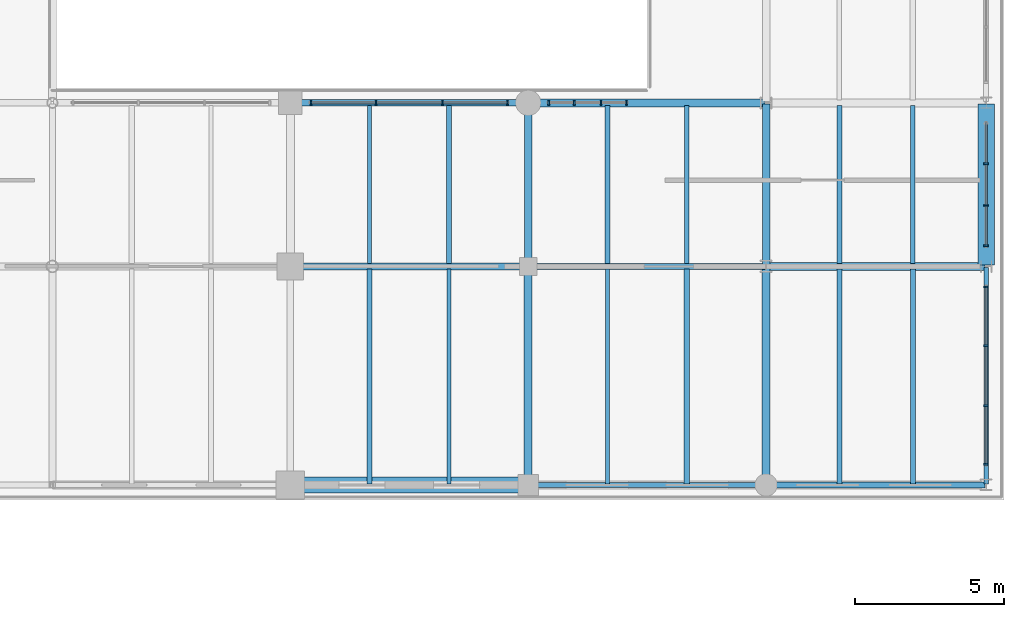
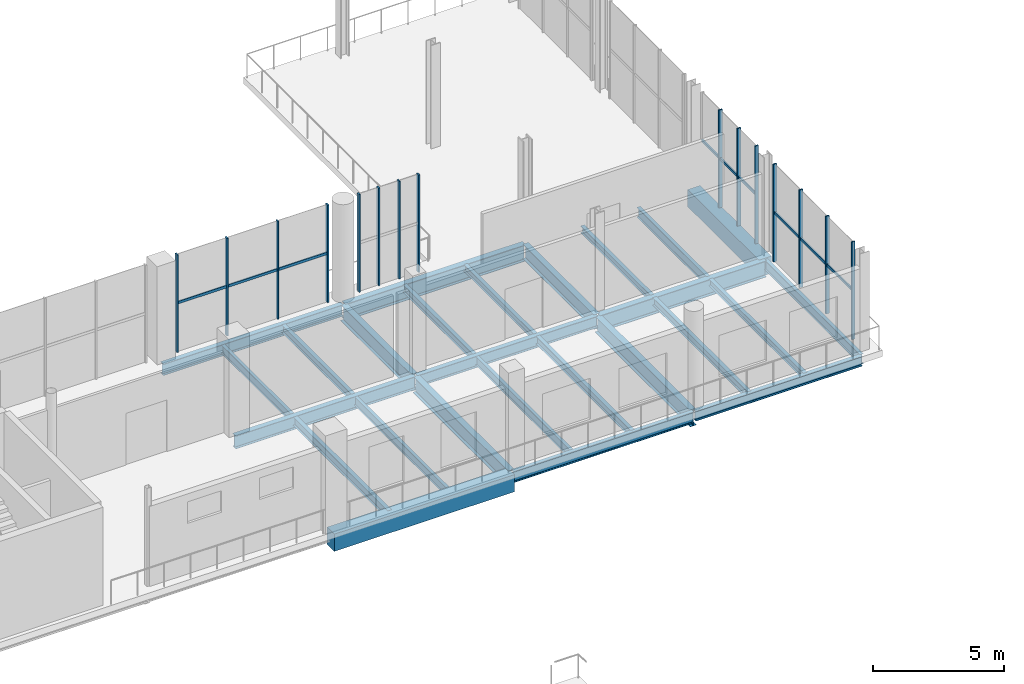
# One storey, part 40 of 70: 26 beams, 24 members, 4 elements without a shape of their own.
"""IFC4 building model written with IfcOpenShell, lengths in metres."""

from ifc_helpers import new_model, si_unit, direction, frame, origin, origin_2d, place, context, subcontext, project, spatial, rectangle, i_section, extrude, material, material_profile, profile_set, type_object, element, aggregate, save


model = new_model("IFC4")

# Units and contexts
model_context = context("Model", 3, precision=1e-05, world=origin(), true_north=direction((0.0, 1.0)))
body_context = subcontext(model_context, "Body", "Model", "MODEL_VIEW")
ifc_project = project(units=[si_unit("LENGTHUNIT", "METRE"), si_unit("AREAUNIT", "SQUARE_METRE"), si_unit("VOLUMEUNIT", "CUBIC_METRE"), si_unit("PLANEANGLEUNIT", "RADIAN"), si_unit("MASSUNIT", "GRAM", prefix="KILO")], contexts=[model_context])

# Site, building, storey
site_placement = place(None, origin())
site = spatial("IfcSite", under=ifc_project, at=site_placement, CompositionType="ELEMENT")
building_placement = place(site_placement, origin())
building = spatial("IfcBuilding", under=site, at=building_placement, Name="Brisemont Oceanarium", CompositionType="ELEMENT")
storey_placement = place(building_placement, frame((0.0, 0.0, 10.199951171875)))
storey = spatial("IfcBuildingStorey", under=building, at=storey_placement, Name="L02", CompositionType="ELEMENT", Elevation=10.199951171875)

# Beams
ifc_material_1 = material(Name="Concrete C40/50", Category="concrete")
ifc_material_profile_1 = material_profile(ifc_material_1, rectangle(XDim=0.550048828125, YDim=0.800048828125, at=origin_2d()), Name="RC-BM-550X800")
ifc_profile_set_1 = profile_set([ifc_material_profile_1], Name="Concrete C40/50")
beam_type_1 = type_object("IfcBeamType", Name="BM-RC550X800", PredefinedType="SPANDREL", material=ifc_profile_set_1)
beam_1_placement = place(storey_placement, frame((136.0400390625, 80.64990234375, -0.699951171875), z_axis=(1.0, 0.0, 0.0), x_axis=(0.0, 1.0, 0.0)))
element("IfcBeam", 1, at=beam_1_placement, inside=storey, type_object=beam_type_1, Name="V6 L02 EW girder", PredefinedType="SPANDREL", context=body_context, shape_type="SweptSolid", body=[
    extrude(rectangle(XDim=0.550048828125, YDim=0.800048828125, at=origin_2d()), origin(), (0.0, 0.0, 1.0), 7.919921875),
])
beam_2_placement = place(storey_placement, frame((159.39990234375, 88.0400390625, -0.699951171875), z_axis=(0.0, 1.0, 0.0), x_axis=(-1.0, 0.0, 0.0)))
element("IfcBeam", 2, at=beam_2_placement, inside=storey, type_object=beam_type_1, Name="V6 L02 NS girder", PredefinedType="SPANDREL", context=body_context, shape_type="SweptSolid", body=[
    extrude(rectangle(XDim=0.550048828125, YDim=0.800048828125, at=origin_2d()), origin(), (0.0, 0.0, 1.0), 5.419921875),
])
ifc_material_2 = material(Name="Structural Steel ASTM A992 Gr.50", Category="steel")
ifc_material_profile_2 = material_profile(ifc_material_2, i_section(OverallWidth=0.1650390625, OverallDepth=0.31005859375, WebThickness=0.005859375, FlangeThickness=0.009765625, FilletRadius=0.008056640625, at=origin_2d()), Name="W12X26")
ifc_profile_set_2 = profile_set([ifc_material_profile_2], Name="Structural Steel ASTM A992 Gr.50")
beam_type_2 = type_object("IfcBeamType", Name="BM-W12X26", PredefinedType="JOIST", material=ifc_profile_set_2)
beam_3_placement = place(storey_placement, frame((149.333251953125, 88.090087890625, -0.454833984375), z_axis=(0.0, 1.0, 0.0), x_axis=(-1.0, 0.0, 0.0)))
element("IfcBeam", 3, at=beam_3_placement, inside=storey, type_object=beam_type_2, Name="V6 L02 secondary floor beam", PredefinedType="JOIST", context=body_context, shape_type="SweptSolid", body=[
    extrude(i_section(OverallWidth=0.1650390625, OverallDepth=0.31005859375, WebThickness=0.005859375, FlangeThickness=0.009765625, FilletRadius=0.008056640625, at=origin_2d()), origin(), (0.0, 0.0, 1.0), 5.31982421875),
])
beam_4_placement = place(storey_placement, frame((156.933349609375, 80.68994140625, -0.454833984375), z_axis=(0.0, 1.0, 0.0), x_axis=(-1.0, 0.0, 0.0)))
element("IfcBeam", 4, at=beam_4_placement, inside=storey, type_object=beam_type_2, Name="V6 L02 secondary floor beam", PredefinedType="JOIST", context=body_context, shape_type="SweptSolid", body=[
    extrude(i_section(OverallWidth=0.1650390625, OverallDepth=0.31005859375, WebThickness=0.005859375, FlangeThickness=0.009765625, FilletRadius=0.008056640625, at=origin_2d()), origin(), (0.0, 0.0, 1.0), 7.219970703125),
])
beam_5_placement = place(storey_placement, frame((154.466796875, 88.090087890625, -0.454833984375), z_axis=(0.0, 1.0, 0.0), x_axis=(-1.0, 0.0, 0.0)))
element("IfcBeam", 5, at=beam_5_placement, inside=storey, type_object=beam_type_2, Name="V6 L02 secondary floor beam", PredefinedType="JOIST", context=body_context, shape_type="SweptSolid", body=[
    extrude(i_section(OverallWidth=0.1650390625, OverallDepth=0.31005859375, WebThickness=0.005859375, FlangeThickness=0.009765625, FilletRadius=0.008056640625, at=origin_2d()), origin(), (0.0, 0.0, 1.0), 5.31982421875),
])
ifc_material_3 = material(Name="Structural Steel ASTM A992 Gr.50", Category="steel")
ifc_material_profile_3 = material_profile(ifc_material_3, i_section(OverallWidth=0.1708984375, OverallDepth=0.35107421875, WebThickness=0.0068359375, FlangeThickness=0.009765625, FilletRadius=0.010009765625, at=origin_2d()), Name="W14X30")
ifc_profile_set_3 = profile_set([ifc_material_profile_3], Name="Structural Steel ASTM A992 Gr.50")
beam_type_3 = type_object("IfcBeamType", Name="BM-W14X30", PredefinedType="JOIST", material=ifc_profile_set_3)
beam_6_placement = place(storey_placement, frame((141.333251953125, 88.090087890625, -0.475341796875), z_axis=(0.0, 1.0, 0.0), x_axis=(-1.0, 0.0, 0.0)))
element("IfcBeam", 6, at=beam_6_placement, inside=storey, type_object=beam_type_3, Name="V6 L02 secondary floor beam", PredefinedType="JOIST", context=body_context, shape_type="SweptSolid", body=[
    extrude(i_section(OverallWidth=0.1708984375, OverallDepth=0.35107421875, WebThickness=0.0068359375, FlangeThickness=0.009765625, FilletRadius=0.010009765625, at=origin_2d()), origin(), (0.0, 0.0, 1.0), 5.31982421875),
])
beam_7_placement = place(storey_placement, frame((149.333251953125, 80.68994140625, -0.475341796875), z_axis=(0.0, 1.0, 0.0), x_axis=(-1.0, 0.0, 0.0)))
element("IfcBeam", 7, at=beam_7_placement, inside=storey, type_object=beam_type_3, Name="V6 L02 secondary floor beam", PredefinedType="JOIST", context=body_context, shape_type="SweptSolid", body=[
    extrude(i_section(OverallWidth=0.1708984375, OverallDepth=0.35107421875, WebThickness=0.0068359375, FlangeThickness=0.009765625, FilletRadius=0.010009765625, at=origin_2d()), origin(), (0.0, 0.0, 1.0), 7.219970703125),
])
beam_8_placement = place(storey_placement, frame((146.666748046875, 88.090087890625, -0.475341796875), z_axis=(0.0, 1.0, 0.0), x_axis=(-1.0, 0.0, 0.0)))
element("IfcBeam", 8, at=beam_8_placement, inside=storey, type_object=beam_type_3, Name="V6 L02 secondary floor beam", PredefinedType="JOIST", context=body_context, shape_type="SweptSolid", body=[
    extrude(i_section(OverallWidth=0.1708984375, OverallDepth=0.35107421875, WebThickness=0.0068359375, FlangeThickness=0.009765625, FilletRadius=0.010009765625, at=origin_2d()), origin(), (0.0, 0.0, 1.0), 5.31982421875),
])
beam_9_placement = place(storey_placement, frame((154.466796875, 80.68994140625, -0.475341796875), z_axis=(0.0, 1.0, 0.0), x_axis=(-1.0, 0.0, 0.0)))
element("IfcBeam", 9, at=beam_9_placement, inside=storey, type_object=beam_type_3, Name="V6 L02 secondary floor beam", PredefinedType="JOIST", context=body_context, shape_type="SweptSolid", body=[
    extrude(i_section(OverallWidth=0.1708984375, OverallDepth=0.35107421875, WebThickness=0.0068359375, FlangeThickness=0.009765625, FilletRadius=0.010009765625, at=origin_2d()), origin(), (0.0, 0.0, 1.0), 7.219970703125),
])
ifc_material_4 = material(Name="Structural Steel ASTM A992 Gr.50", Category="steel")
ifc_material_profile_4 = material_profile(ifc_material_4, i_section(OverallWidth=0.139892578125, OverallDepth=0.39892578125, WebThickness=0.00634765625, FlangeThickness=0.0087890625, FilletRadius=0.010009765625, at=origin_2d()), Name="W16X26")
ifc_profile_set_4 = profile_set([ifc_material_profile_4], Name="Structural Steel ASTM A992 Gr.50")
beam_type_4 = type_object("IfcBeamType", Name="BM-W16X26", PredefinedType="JOIST", material=ifc_profile_set_4)
beam_10_placement = place(storey_placement, frame((141.333251953125, 80.68994140625, -0.49951171875), z_axis=(0.0, 1.0, 0.0), x_axis=(-1.0, 0.0, 0.0)))
element("IfcBeam", 10, at=beam_10_placement, inside=storey, type_object=beam_type_4, Name="V6 L02 secondary floor beam", PredefinedType="JOIST", context=body_context, shape_type="SweptSolid", body=[
    extrude(i_section(OverallWidth=0.139892578125, OverallDepth=0.39892578125, WebThickness=0.00634765625, FlangeThickness=0.0087890625, FilletRadius=0.010009765625, at=origin_2d()), origin(), (0.0, 0.0, 1.0), 7.219970703125),
])
beam_11_placement = place(storey_placement, frame((138.666748046875, 88.090087890625, -0.49951171875), z_axis=(0.0, 1.0, 0.0), x_axis=(-1.0, 0.0, 0.0)))
element("IfcBeam", 11, at=beam_11_placement, inside=storey, type_object=beam_type_4, Name="V6 L02 secondary floor beam", PredefinedType="JOIST", context=body_context, shape_type="SweptSolid", body=[
    extrude(i_section(OverallWidth=0.139892578125, OverallDepth=0.39892578125, WebThickness=0.00634765625, FlangeThickness=0.0087890625, FilletRadius=0.010009765625, at=origin_2d()), origin(), (0.0, 0.0, 1.0), 5.31982421875),
])
beam_12_placement = place(storey_placement, frame((146.666748046875, 80.68994140625, -0.49951171875), z_axis=(0.0, 1.0, 0.0), x_axis=(-1.0, 0.0, 0.0)))
element("IfcBeam", 12, at=beam_12_placement, inside=storey, type_object=beam_type_4, Name="V6 L02 secondary floor beam", PredefinedType="JOIST", context=body_context, shape_type="SweptSolid", body=[
    extrude(i_section(OverallWidth=0.139892578125, OverallDepth=0.39892578125, WebThickness=0.00634765625, FlangeThickness=0.0087890625, FilletRadius=0.010009765625, at=origin_2d()), origin(), (0.0, 0.0, 1.0), 7.219970703125),
])
ifc_material_5 = material(Name="Structural Steel ASTM A992 Gr.50", Category="steel")
ifc_material_profile_5 = material_profile(ifc_material_5, i_section(OverallWidth=0.177978515625, OverallDepth=0.404052734375, WebThickness=0.007568359375, FlangeThickness=0.010986328125, FilletRadius=0.010009765625, at=origin_2d()), Name="W16X36")
ifc_profile_set_5 = profile_set([ifc_material_profile_5], Name="Structural Steel ASTM A992 Gr.50")
beam_type_5 = type_object("IfcBeamType", Name="BM-W16X36", PredefinedType="JOIST", material=ifc_profile_set_5)
beam_13_placement = place(storey_placement, frame((138.666748046875, 80.68994140625, -0.501953125), z_axis=(0.0, 1.0, 0.0), x_axis=(-1.0, 0.0, 0.0)))
element("IfcBeam", 13, at=beam_13_placement, inside=storey, type_object=beam_type_5, Name="V6 L02 secondary floor beam", PredefinedType="JOIST", context=body_context, shape_type="SweptSolid", body=[
    extrude(i_section(OverallWidth=0.177978515625, OverallDepth=0.404052734375, WebThickness=0.007568359375, FlangeThickness=0.010986328125, FilletRadius=0.010009765625, at=origin_2d()), origin(), (0.0, 0.0, 1.0), 7.219970703125),
])
ifc_material_6 = material(Name="Structural Steel ASTM A992 Gr.50", Category="steel")
ifc_material_profile_6 = material_profile(ifc_material_6, i_section(OverallWidth=0.153076171875, OverallDepth=0.455078125, WebThickness=0.008056640625, FlangeThickness=0.01318359375, FilletRadius=0.010986328125, at=origin_2d()), Name="W18X40")
ifc_profile_set_6 = profile_set([ifc_material_profile_6], Name="Structural Steel ASTM A992 Gr.50")
beam_type_6 = type_object("IfcBeamType", Name="BM-W18X40", PredefinedType="JOIST", material=ifc_profile_set_6)
beam_14_placement = place(storey_placement, frame((156.933349609375, 88.090087890625, -0.52734375), z_axis=(0.0, 1.0, 0.0), x_axis=(-1.0, 0.0, 0.0)))
element("IfcBeam", 14, at=beam_14_placement, inside=storey, type_object=beam_type_6, Name="V6 L02 secondary floor beam", PredefinedType="JOIST", context=body_context, shape_type="SweptSolid", body=[
    extrude(i_section(OverallWidth=0.153076171875, OverallDepth=0.455078125, WebThickness=0.008056640625, FlangeThickness=0.01318359375, FilletRadius=0.010986328125, at=origin_2d()), origin(), (0.0, 0.0, 1.0), 5.31982421875),
])
ifc_material_7 = material(Name="Structural Steel ASTM A992 Gr.50", Category="steel")
ifc_material_profile_7 = material_profile(ifc_material_7, i_section(OverallWidth=0.154052734375, OverallDepth=0.458984375, WebThickness=0.009033203125, FlangeThickness=0.015380859375, FilletRadius=0.010986328125, at=origin_2d()), Name="W18X46")
ifc_profile_set_7 = profile_set([ifc_material_profile_7], Name="Structural Steel ASTM A992 Gr.50")
beam_type_7 = type_object("IfcBeamType", Name="BM-W18X46", PredefinedType="SPANDREL", material=ifc_profile_set_7)
beam_15_placement = place(storey_placement, frame((159.39990234375, 80.68994140625, -0.529541015625), z_axis=(0.0, 1.0, 0.0), x_axis=(-1.0, 0.0, 0.0)))
element("IfcBeam", 15, at=beam_15_placement, inside=storey, type_object=beam_type_7, Name="V6 L02 NS girder", PredefinedType="SPANDREL", context=body_context, shape_type="SweptSolid", body=[
    extrude(i_section(OverallWidth=0.154052734375, OverallDepth=0.458984375, WebThickness=0.009033203125, FlangeThickness=0.015380859375, FilletRadius=0.010986328125, at=origin_2d()), origin(), (0.0, 0.0, 1.0), 7.27001953125),
])
ifc_material_8 = material(Name="Structural Steel ASTM A992 Gr.50", Category="steel")
ifc_material_profile_8 = material_profile(ifc_material_8, i_section(OverallWidth=0.19091796875, OverallDepth=0.4599609375, WebThickness=0.010009765625, FlangeThickness=0.01611328125, FilletRadius=0.010986328125, at=origin_2d()), Name="W18X55")
ifc_profile_set_8 = profile_set([ifc_material_profile_8], Name="Structural Steel ASTM A992 Gr.50")
beam_type_8 = type_object("IfcBeamType", Name="BM-W18X55", PredefinedType="SPANDREL", material=ifc_profile_set_8)
beam_16_placement = place(storey_placement, frame((152.0400390625, 80.64990234375, -0.530029296875), z_axis=(1.0, 0.0, 0.0), x_axis=(0.0, 1.0, 0.0)))
element("IfcBeam", 16, at=beam_16_placement, inside=storey, type_object=beam_type_8, Name="V6 L02 EW girder", PredefinedType="SPANDREL", context=body_context, shape_type="SweptSolid", body=[
    extrude(i_section(OverallWidth=0.19091796875, OverallDepth=0.4599609375, WebThickness=0.010009765625, FlangeThickness=0.01611328125, FilletRadius=0.010986328125, at=origin_2d()), origin(), (0.0, 0.0, 1.0), 7.320068359375),
])
ifc_material_9 = material(Name="Structural Steel ASTM A992 Gr.50", Category="steel")
ifc_material_profile_9 = material_profile(ifc_material_9, i_section(OverallWidth=0.166015625, OverallDepth=0.528076171875, WebThickness=0.009765625, FlangeThickness=0.013671875, FilletRadius=0.012939453125, at=origin_2d()), Name="W21X50")
ifc_profile_set_9 = profile_set([ifc_material_profile_9], Name="Structural Steel ASTM A992 Gr.50")
beam_type_9 = type_object("IfcBeamType", Name="BM-W21X50", PredefinedType="SPANDREL", material=ifc_profile_set_9)
beam_17_placement = place(storey_placement, frame((144.0400390625, 80.64990234375, -0.56396484375), z_axis=(1.0, 0.0, 0.0), x_axis=(0.0, 1.0, 0.0)))
element("IfcBeam", 17, at=beam_17_placement, inside=storey, type_object=beam_type_9, Name="V6 L02 EW girder", PredefinedType="SPANDREL", context=body_context, shape_type="SweptSolid", body=[
    extrude(i_section(OverallWidth=0.166015625, OverallDepth=0.528076171875, WebThickness=0.009765625, FlangeThickness=0.013671875, FilletRadius=0.012939453125, at=origin_2d()), origin(), (0.0, 0.0, 1.0), 7.919921875),
])
ifc_material_10 = material(Name="Structural Steel ASTM A992 Gr.50", Category="steel")
ifc_material_profile_10 = material_profile(ifc_material_10, i_section(OverallWidth=0.2099609375, OverallDepth=0.532958984375, WebThickness=0.01025390625, FlangeThickness=0.015625, FilletRadius=0.012939453125, at=origin_2d()), Name="W21X62")
ifc_profile_set_10 = profile_set([ifc_material_profile_10], Name="Structural Steel ASTM A992 Gr.50")
beam_type_10 = type_object("IfcBeamType", Name="BM-W21X62", PredefinedType="BEAM", material=ifc_profile_set_10)
for number, where, z_axis, x_axis, name in (
    (18, (144.0400390625, 88.0, -0.56640625), (1.0, 0.0, 0.0), (0.0, 1.0, 0.0), "V6 L02 EW girder"),
    (19, (136.0400390625, 93.5, -0.56640625), (1.0, 0.0, 0.0), (0.0, 1.0, 0.0), "V6 L02 EW girder"),
):
    element("IfcBeam", number, at=place(storey_placement, frame(where, z_axis=z_axis, x_axis=x_axis)), inside=storey, type_object=beam_type_10, Name=name, PredefinedType="BEAM", context=body_context, shape_type="SweptSolid", body=[
        extrude(i_section(OverallWidth=0.2099609375, OverallDepth=0.532958984375, WebThickness=0.01025390625, FlangeThickness=0.015625, FilletRadius=0.012939453125, at=origin_2d()), origin(), (0.0, 0.0, 1.0), 7.919921875),
    ])
ifc_material_11 = material(Name="Structural Steel ASTM A992 Gr.50", Category="steel")
ifc_material_profile_11 = material_profile(ifc_material_11, i_section(OverallWidth=0.22802734375, OverallDepth=0.60205078125, WebThickness=0.010498046875, FlangeThickness=0.014892578125, FilletRadius=0.012939453125, at=origin_2d()), Name="W24X68")
ifc_profile_set_11 = profile_set([ifc_material_profile_11], Name="Structural Steel ASTM A992 Gr.50")
beam_type_11 = type_object("IfcBeamType", Name="BM-W24X68", PredefinedType="BEAM", material=ifc_profile_set_11)
beam_18_placement = place(storey_placement, frame((136.0400390625, 88.0, -0.600830078125), z_axis=(1.0, 0.0, 0.0), x_axis=(0.0, 1.0, 0.0)))
element("IfcBeam", 20, at=beam_18_placement, inside=storey, type_object=beam_type_11, Name="V6 L02 EW girder", PredefinedType="BEAM", context=body_context, shape_type="SweptSolid", body=[
    extrude(i_section(OverallWidth=0.22802734375, OverallDepth=0.60205078125, WebThickness=0.010498046875, FlangeThickness=0.014892578125, FilletRadius=0.012939453125, at=origin_2d()), origin(), (0.0, 0.0, 1.0), 7.919921875),
])
ifc_material_12 = material(Name="Structural Steel ASTM A992 Gr.50", Category="steel")
ifc_material_profile_12 = material_profile(ifc_material_12, i_section(OverallWidth=0.25390625, OverallDepth=0.68310546875, WebThickness=0.012451171875, FlangeThickness=0.018798828125, FilletRadius=0.014892578125, at=origin_2d()), Name="W27X94")
ifc_profile_set_12 = profile_set([ifc_material_profile_12], Name="Structural Steel ASTM A992 Gr.50")
beam_type_12 = type_object("IfcBeamType", Name="BM-W27X94", PredefinedType="BEAM", material=ifc_profile_set_12)
beam_19_placement = place(storey_placement, frame((152.0, 88.0400390625, -0.641357421875), z_axis=(0.0, 1.0, 0.0), x_axis=(-1.0, 0.0, 0.0)))
element("IfcBeam", 21, at=beam_19_placement, inside=storey, type_object=beam_type_12, Name="V6 L02 NS girder", PredefinedType="BEAM", context=body_context, shape_type="SweptSolid", body=[
    extrude(i_section(OverallWidth=0.25390625, OverallDepth=0.68310546875, WebThickness=0.012451171875, FlangeThickness=0.018798828125, FilletRadius=0.014892578125, at=origin_2d()), origin(), (0.0, 0.0, 1.0), 5.419921875),
])
ifc_material_13 = material(Name="Structural Steel ASTM A992 Gr.50", Category="steel")
ifc_material_profile_13 = material_profile(ifc_material_13, i_section(OverallWidth=0.26708984375, OverallDepth=0.761962890625, WebThickness=0.014404296875, FlangeThickness=0.021484375, FilletRadius=0.01611328125, at=origin_2d()), Name="W30X116")
ifc_profile_set_13 = profile_set([ifc_material_profile_13], Name="Structural Steel ASTM A992 Gr.50")
beam_type_13 = type_object("IfcBeamType", Name="BM-W30X116", PredefinedType="BEAM", material=ifc_profile_set_13)
beam_20_placement = place(storey_placement, frame((152.0400390625, 88.0, -0.680908203125), z_axis=(1.0, 0.0, 0.0), x_axis=(0.0, 1.0, 0.0)))
element("IfcBeam", 22, at=beam_20_placement, inside=storey, type_object=beam_type_13, Name="V6 L02 EW girder", PredefinedType="BEAM", context=body_context, shape_type="SweptSolid", body=[
    extrude(i_section(OverallWidth=0.26708984375, OverallDepth=0.761962890625, WebThickness=0.014404296875, FlangeThickness=0.021484375, FilletRadius=0.01611328125, at=origin_2d()), origin(), (0.0, 0.0, 1.0), 7.320068359375),
])
beam_21_placement = place(storey_placement, frame((144.0400390625, 93.5, -0.680908203125), z_axis=(1.0, 0.0, 0.0), x_axis=(0.0, 1.0, 0.0)))
element("IfcBeam", 23, at=beam_21_placement, inside=storey, type_object=beam_type_13, Name="V6 L02 EW girder", PredefinedType="BEAM", context=body_context, shape_type="SweptSolid", body=[
    extrude(i_section(OverallWidth=0.26708984375, OverallDepth=0.761962890625, WebThickness=0.014404296875, FlangeThickness=0.021484375, FilletRadius=0.01611328125, at=origin_2d()), origin(), (0.0, 0.0, 1.0), 7.919921875),
])
beam_22_placement = place(storey_placement, frame((144.0, 80.68994140625, -0.680908203125), z_axis=(0.0, 1.0, 0.0), x_axis=(-1.0, 0.0, 0.0)))
element("IfcBeam", 24, at=beam_22_placement, inside=storey, type_object=beam_type_13, Name="V6 L02 NS girder", PredefinedType="BEAM", context=body_context, shape_type="SweptSolid", body=[
    extrude(i_section(OverallWidth=0.26708984375, OverallDepth=0.761962890625, WebThickness=0.014404296875, FlangeThickness=0.021484375, FilletRadius=0.01611328125, at=origin_2d()), origin(), (0.0, 0.0, 1.0), 7.27001953125),
])
ifc_material_14 = material(Name="Structural Steel ASTM A992 Gr.50", Category="steel")
ifc_material_profile_14 = material_profile(ifc_material_14, i_section(OverallWidth=0.264892578125, OverallDepth=0.7529296875, WebThickness=0.01318359375, FlangeThickness=0.01708984375, FilletRadius=0.01611328125, at=origin_2d()), Name="W30X99")
ifc_profile_set_14 = profile_set([ifc_material_profile_14], Name="Structural Steel ASTM A992 Gr.50")
beam_type_14 = type_object("IfcBeamType", Name="BM-W30X99", PredefinedType="BEAM", material=ifc_profile_set_14)
beam_23_placement = place(storey_placement, frame((144.0, 88.0400390625, -0.676513671875), z_axis=(0.0, 1.0, 0.0), x_axis=(-1.0, 0.0, 0.0)))
element("IfcBeam", 25, at=beam_23_placement, inside=storey, type_object=beam_type_14, Name="V6 L02 NS girder", PredefinedType="BEAM", context=body_context, shape_type="SweptSolid", body=[
    extrude(i_section(OverallWidth=0.264892578125, OverallDepth=0.7529296875, WebThickness=0.01318359375, FlangeThickness=0.01708984375, FilletRadius=0.01611328125, at=origin_2d()), origin(), (0.0, 0.0, 1.0), 5.419921875),
])
beam_24_placement = place(storey_placement, frame((152.0, 80.68994140625, -0.676513671875), z_axis=(0.0, 1.0, 0.0), x_axis=(-1.0, 0.0, 0.0)))
element("IfcBeam", 26, at=beam_24_placement, inside=storey, type_object=beam_type_14, Name="V6 L02 NS girder", PredefinedType="BEAM", context=body_context, shape_type="SweptSolid", body=[
    extrude(i_section(OverallWidth=0.264892578125, OverallDepth=0.7529296875, WebThickness=0.01318359375, FlangeThickness=0.01708984375, FilletRadius=0.01611328125, at=origin_2d()), origin(), (0.0, 0.0, 1.0), 7.27001953125),
])

# Curtain wall, members
ifc_material_15 = material(Name="Anodized Extruded Aluminum 6063-T6", Category="aluminium")
curtain_wall_type = type_object("IfcCurtainWallType", Name="CW-RES-52X41", PredefinedType="NOTDEFINED", material=ifc_material_15)
curtain_wall_1_placement = place(storey_placement, origin())
curtain_wall_1 = element("IfcCurtainWall", 27, at=curtain_wall_1_placement, inside=storey, type_object=curtain_wall_type, Name="CW-18 curtain wall CW-V6-E-L02-01", PredefinedType="NOTDEFINED")
ifc_material_16 = material(Name="Anodized Extruded Aluminum 6063-T6", Category="aluminium")
ifc_material_profile_15 = material_profile(ifc_material_16, rectangle(XDim=0.06005859375, YDim=0.14990234375, at=origin_2d()), Name="CWM-60X150")
ifc_profile_set_15 = profile_set([ifc_material_profile_15], Name="Anodized Extruded Aluminum 6063-T6")
member_type_1 = type_object("IfcMemberType", Name="MEM-CWM-60", PredefinedType="MULLION", material=ifc_profile_set_15)
member_1_placement = place(storey_placement, frame((159.39990234375, 81.344970703125, 0.0), z_axis=(0.0, 0.0, 1.0), x_axis=(0.0, 1.0, 0.0)))
member_1 = element("IfcMember", 28, at=member_1_placement, type_object=member_type_1, Name="CW-V6-E-L02-01 mullion 1", PredefinedType="MULLION", context=body_context, shape_type="SweptSolid", body=[
    extrude(rectangle(XDim=0.06005859375, YDim=0.14990234375, at=origin_2d()), origin(), (0.0, 0.0, 1.0), 4.5400390625),
])
member_2_placement = place(storey_placement, frame((159.39990234375, 83.316650390625, 0.0), z_axis=(0.0, 0.0, 1.0), x_axis=(0.0, 1.0, 0.0)))
member_2 = element("IfcMember", 29, at=member_2_placement, type_object=member_type_1, Name="CW-V6-E-L02-01 mullion 2", PredefinedType="MULLION", context=body_context, shape_type="SweptSolid", body=[
    extrude(rectangle(XDim=0.06005859375, YDim=0.14990234375, at=origin_2d()), origin(), (0.0, 0.0, 1.0), 4.5400390625),
])
member_3_placement = place(storey_placement, frame((159.39990234375, 85.333251953125, 0.0), z_axis=(0.0, 0.0, 1.0), x_axis=(0.0, 1.0, 0.0)))
member_3 = element("IfcMember", 30, at=member_3_placement, type_object=member_type_1, Name="CW-V6-E-L02-01 mullion 3", PredefinedType="MULLION", context=body_context, shape_type="SweptSolid", body=[
    extrude(rectangle(XDim=0.06005859375, YDim=0.14990234375, at=origin_2d()), origin(), (0.0, 0.0, 1.0), 4.5400390625),
])
member_4_placement = place(storey_placement, frame((159.39990234375, 87.304931640625, 0.0), z_axis=(0.0, 0.0, 1.0), x_axis=(0.0, 1.0, 0.0)))
member_4 = element("IfcMember", 31, at=member_4_placement, type_object=member_type_1, Name="CW-V6-E-L02-01 mullion 4", PredefinedType="MULLION", context=body_context, shape_type="SweptSolid", body=[
    extrude(rectangle(XDim=0.06005859375, YDim=0.14990234375, at=origin_2d()), origin(), (0.0, 0.0, 1.0), 4.5400390625),
])

curtain_wall_2_placement = place(storey_placement, origin())
curtain_wall_2 = element("IfcCurtainWall", 32, at=curtain_wall_2_placement, inside=storey, type_object=curtain_wall_type, Name="CW-18 curtain wall CW-V6-E-L02-02", PredefinedType="NOTDEFINED")
member_5_placement = place(storey_placement, frame((159.39990234375, 88.695068359375, 0.0), z_axis=(0.0, 0.0, 1.0), x_axis=(0.0, 1.0, 0.0)))
member_5 = element("IfcMember", 33, at=member_5_placement, type_object=member_type_1, Name="CW-V6-E-L02-02 mullion 1", PredefinedType="MULLION", context=body_context, shape_type="SweptSolid", body=[
    extrude(rectangle(XDim=0.06005859375, YDim=0.14990234375, at=origin_2d()), origin(), (0.0, 0.0, 1.0), 4.5400390625),
])
member_6_placement = place(storey_placement, frame((159.39990234375, 90.050048828125, 0.0), z_axis=(0.0, 0.0, 1.0), x_axis=(0.0, 1.0, 0.0)))
member_6 = element("IfcMember", 34, at=member_6_placement, type_object=member_type_1, Name="CW-V6-E-L02-02 mullion 2", PredefinedType="MULLION", context=body_context, shape_type="SweptSolid", body=[
    extrude(rectangle(XDim=0.06005859375, YDim=0.14990234375, at=origin_2d()), origin(), (0.0, 0.0, 1.0), 4.5400390625),
])
member_7_placement = place(storey_placement, frame((159.39990234375, 91.449951171875, 0.0), z_axis=(0.0, 0.0, 1.0), x_axis=(0.0, 1.0, 0.0)))
member_7 = element("IfcMember", 35, at=member_7_placement, type_object=member_type_1, Name="CW-V6-E-L02-02 mullion 3", PredefinedType="MULLION", context=body_context, shape_type="SweptSolid", body=[
    extrude(rectangle(XDim=0.06005859375, YDim=0.14990234375, at=origin_2d()), origin(), (0.0, 0.0, 1.0), 4.5400390625),
])

curtain_wall_3_placement = place(storey_placement, origin())
curtain_wall_3 = element("IfcCurtainWall", 36, at=curtain_wall_3_placement, inside=storey, type_object=curtain_wall_type, Name="CW-18 curtain wall CW-V6-CL-L02-02", PredefinedType="NOTDEFINED")
member_8_placement = place(storey_placement, frame((136.695068359375, 93.5, 0.0), z_axis=(0.0, 0.0, 1.0), x_axis=(1.0, 0.0, 0.0)))
member_8 = element("IfcMember", 37, at=member_8_placement, type_object=member_type_1, Name="CW-V6-CL-L02-02 mullion 1", PredefinedType="MULLION", context=body_context, shape_type="SweptSolid", body=[
    extrude(rectangle(XDim=0.06005859375, YDim=0.14990234375, at=origin_2d()), origin(), (0.0, 0.0, 1.0), 4.5400390625),
])
member_9_placement = place(storey_placement, frame((138.88330078125, 93.5, 0.0), z_axis=(0.0, 0.0, 1.0), x_axis=(1.0, 0.0, 0.0)))
member_9 = element("IfcMember", 38, at=member_9_placement, type_object=member_type_1, Name="CW-V6-CL-L02-02 mullion 2", PredefinedType="MULLION", context=body_context, shape_type="SweptSolid", body=[
    extrude(rectangle(XDim=0.06005859375, YDim=0.14990234375, at=origin_2d()), origin(), (0.0, 0.0, 1.0), 4.5400390625),
])
member_10_placement = place(storey_placement, frame((141.11669921875, 93.5, 0.0), z_axis=(0.0, 0.0, 1.0), x_axis=(1.0, 0.0, 0.0)))
member_10 = element("IfcMember", 39, at=member_10_placement, type_object=member_type_1, Name="CW-V6-CL-L02-02 mullion 3", PredefinedType="MULLION", context=body_context, shape_type="SweptSolid", body=[
    extrude(rectangle(XDim=0.06005859375, YDim=0.14990234375, at=origin_2d()), origin(), (0.0, 0.0, 1.0), 4.5400390625),
])
member_11_placement = place(storey_placement, frame((143.304931640625, 93.5, 0.0), z_axis=(0.0, 0.0, 1.0), x_axis=(1.0, 0.0, 0.0)))
member_11 = element("IfcMember", 40, at=member_11_placement, type_object=member_type_1, Name="CW-V6-CL-L02-02 mullion 4", PredefinedType="MULLION", context=body_context, shape_type="SweptSolid", body=[
    extrude(rectangle(XDim=0.06005859375, YDim=0.14990234375, at=origin_2d()), origin(), (0.0, 0.0, 1.0), 4.5400390625),
])

curtain_wall_4_placement = place(storey_placement, origin())
curtain_wall_4 = element("IfcCurtainWall", 41, at=curtain_wall_4_placement, inside=storey, type_object=curtain_wall_type, Name="CW-18 curtain wall CW-V6-CL-L02-03", PredefinedType="NOTDEFINED")
member_12_placement = place(storey_placement, frame((144.695068359375, 93.5, 0.0), z_axis=(0.0, 0.0, 1.0), x_axis=(1.0, 0.0, 0.0)))
member_12 = element("IfcMember", 42, at=member_12_placement, type_object=member_type_1, Name="CW-V6-CL-L02-03 mullion 1", PredefinedType="MULLION", context=body_context, shape_type="SweptSolid", body=[
    extrude(rectangle(XDim=0.06005859375, YDim=0.14990234375, at=origin_2d()), origin(), (0.0, 0.0, 1.0), 4.5400390625),
])
member_13_placement = place(storey_placement, frame((145.550048828125, 93.5, 0.0), z_axis=(0.0, 0.0, 1.0), x_axis=(1.0, 0.0, 0.0)))
member_13 = element("IfcMember", 43, at=member_13_placement, type_object=member_type_1, Name="CW-V6-CL-L02-03 mullion 2", PredefinedType="MULLION", context=body_context, shape_type="SweptSolid", body=[
    extrude(rectangle(XDim=0.06005859375, YDim=0.14990234375, at=origin_2d()), origin(), (0.0, 0.0, 1.0), 4.5400390625),
])
member_14_placement = place(storey_placement, frame((146.449951171875, 93.5, 0.0), z_axis=(0.0, 0.0, 1.0), x_axis=(1.0, 0.0, 0.0)))
member_14 = element("IfcMember", 44, at=member_14_placement, type_object=member_type_1, Name="CW-V6-CL-L02-03 mullion 3", PredefinedType="MULLION", context=body_context, shape_type="SweptSolid", body=[
    extrude(rectangle(XDim=0.06005859375, YDim=0.14990234375, at=origin_2d()), origin(), (0.0, 0.0, 1.0), 4.5400390625),
])
member_15_placement = place(storey_placement, frame((147.304931640625, 93.5, 0.0), z_axis=(0.0, 0.0, 1.0), x_axis=(1.0, 0.0, 0.0)))
member_15 = element("IfcMember", 45, at=member_15_placement, type_object=member_type_1, Name="CW-V6-CL-L02-03 mullion 4", PredefinedType="MULLION", context=body_context, shape_type="SweptSolid", body=[
    extrude(rectangle(XDim=0.06005859375, YDim=0.14990234375, at=origin_2d()), origin(), (0.0, 0.0, 1.0), 4.5400390625),
])
aggregate(curtain_wall_4, [member_12, member_13, member_14, member_15])

# Member
ifc_material_17 = material(Name="Anodized Extruded Aluminum 6063-T6", Category="aluminium")
ifc_material_profile_16 = material_profile(ifc_material_17, rectangle(XDim=0.06005859375, YDim=0.1201171875, at=origin_2d()), Name="CWT-60X120")
ifc_profile_set_16 = profile_set([ifc_material_profile_16], Name="Anodized Extruded Aluminum 6063-T6")
member_type_2 = type_object("IfcMemberType", Name="MEM-CWT-60", PredefinedType="USERDEFINED", material=ifc_profile_set_16)
member_16_placement = place(storey_placement, frame((159.39990234375, 81.31494140625, 2.27001953125), z_axis=(0.0, 1.0, 0.0), x_axis=(-1.0, 0.0, 0.0)))
member_16 = element("IfcMember", 46, at=member_16_placement, type_object=member_type_2, Name="CW-V6-E-L02-01 transom 1.1", ObjectType="TRANSOM", PredefinedType="USERDEFINED", context=body_context, shape_type="SweptSolid", body=[
    extrude(rectangle(XDim=0.06005859375, YDim=0.1201171875, at=origin_2d()), origin(), (0.0, 0.0, 1.0), 1.98681640625),
])

member_17_placement = place(storey_placement, frame((159.39990234375, 83.331787109375, 2.27001953125), z_axis=(0.0, 1.0, 0.0), x_axis=(-1.0, 0.0, 0.0)))
member_17 = element("IfcMember", 47, at=member_17_placement, type_object=member_type_2, Name="CW-V6-E-L02-01 transom 2.1", ObjectType="TRANSOM", PredefinedType="USERDEFINED", context=body_context, shape_type="SweptSolid", body=[
    extrude(rectangle(XDim=0.06005859375, YDim=0.1201171875, at=origin_2d()), origin(), (0.0, 0.0, 1.0), 1.986572265625),
])

member_18_placement = place(storey_placement, frame((159.39990234375, 85.348388671875, 2.27001953125), z_axis=(0.0, 1.0, 0.0), x_axis=(-1.0, 0.0, 0.0)))
member_18 = element("IfcMember", 48, at=member_18_placement, type_object=member_type_2, Name="CW-V6-E-L02-01 transom 3.1", ObjectType="TRANSOM", PredefinedType="USERDEFINED", context=body_context, shape_type="SweptSolid", body=[
    extrude(rectangle(XDim=0.06005859375, YDim=0.1201171875, at=origin_2d()), origin(), (0.0, 0.0, 1.0), 1.986572265625),
])

aggregate(curtain_wall_1, [member_1, member_2, member_3, member_4, member_16, member_17, member_18])

member_19_placement = place(storey_placement, frame((159.39990234375, 88.6650390625, 2.27001953125), z_axis=(0.0, 1.0, 0.0), x_axis=(-1.0, 0.0, 0.0)))
member_19 = element("IfcMember", 49, at=member_19_placement, type_object=member_type_2, Name="CW-V6-E-L02-02 transom 1.1", ObjectType="TRANSOM", PredefinedType="USERDEFINED", context=body_context, shape_type="SweptSolid", body=[
    extrude(rectangle(XDim=0.06005859375, YDim=0.1201171875, at=origin_2d()), origin(), (0.0, 0.0, 1.0), 1.369873046875),
])

member_20_placement = place(storey_placement, frame((159.39990234375, 90.06494140625, 2.27001953125), z_axis=(0.0, 1.0, 0.0), x_axis=(-1.0, 0.0, 0.0)))
member_20 = element("IfcMember", 50, at=member_20_placement, type_object=member_type_2, Name="CW-V6-E-L02-02 transom 2.1", ObjectType="TRANSOM", PredefinedType="USERDEFINED", context=body_context, shape_type="SweptSolid", body=[
    extrude(rectangle(XDim=0.06005859375, YDim=0.1201171875, at=origin_2d()), origin(), (0.0, 0.0, 1.0), 1.3701171875),
])

member_21_placement = place(storey_placement, frame((159.39990234375, 91.465087890625, 2.27001953125), z_axis=(0.0, 1.0, 0.0), x_axis=(-1.0, 0.0, 0.0)))
member_21 = element("IfcMember", 51, at=member_21_placement, type_object=member_type_2, Name="CW-V6-E-L02-02 transom 3.1", ObjectType="TRANSOM", PredefinedType="USERDEFINED", context=body_context, shape_type="SweptSolid", body=[
    extrude(rectangle(XDim=0.06005859375, YDim=0.1201171875, at=origin_2d()), origin(), (0.0, 0.0, 1.0), 1.369873046875),
])

aggregate(curtain_wall_2, [member_5, member_6, member_7, member_19, member_20, member_21])

member_22_placement = place(storey_placement, frame((136.6650390625, 93.5, 2.27001953125), z_axis=(1.0, 0.0, 0.0), x_axis=(0.0, 1.0, 0.0)))
member_22 = element("IfcMember", 52, at=member_22_placement, type_object=member_type_2, Name="CW-V6-CL-L02-02 transom 1.1", ObjectType="TRANSOM", PredefinedType="USERDEFINED", context=body_context, shape_type="SweptSolid", body=[
    extrude(rectangle(XDim=0.06005859375, YDim=0.1201171875, at=origin_2d()), origin(), (0.0, 0.0, 1.0), 2.203369140625),
])

member_23_placement = place(storey_placement, frame((138.898193359375, 93.5, 2.27001953125), z_axis=(1.0, 0.0, 0.0), x_axis=(0.0, 1.0, 0.0)))
member_23 = element("IfcMember", 53, at=member_23_placement, type_object=member_type_2, Name="CW-V6-CL-L02-02 transom 2.1", ObjectType="TRANSOM", PredefinedType="USERDEFINED", context=body_context, shape_type="SweptSolid", body=[
    extrude(rectangle(XDim=0.06005859375, YDim=0.1201171875, at=origin_2d()), origin(), (0.0, 0.0, 1.0), 2.20361328125),
])

member_24_placement = place(storey_placement, frame((141.131591796875, 93.5, 2.27001953125), z_axis=(1.0, 0.0, 0.0), x_axis=(0.0, 1.0, 0.0)))
member_24 = element("IfcMember", 54, at=member_24_placement, type_object=member_type_2, Name="CW-V6-CL-L02-02 transom 3.1", ObjectType="TRANSOM", PredefinedType="USERDEFINED", context=body_context, shape_type="SweptSolid", body=[
    extrude(rectangle(XDim=0.06005859375, YDim=0.1201171875, at=origin_2d()), origin(), (0.0, 0.0, 1.0), 2.203369140625),
])

aggregate(curtain_wall_3, [member_8, member_9, member_10, member_11, member_22, member_23, member_24])

save(model, "model.ifc")
